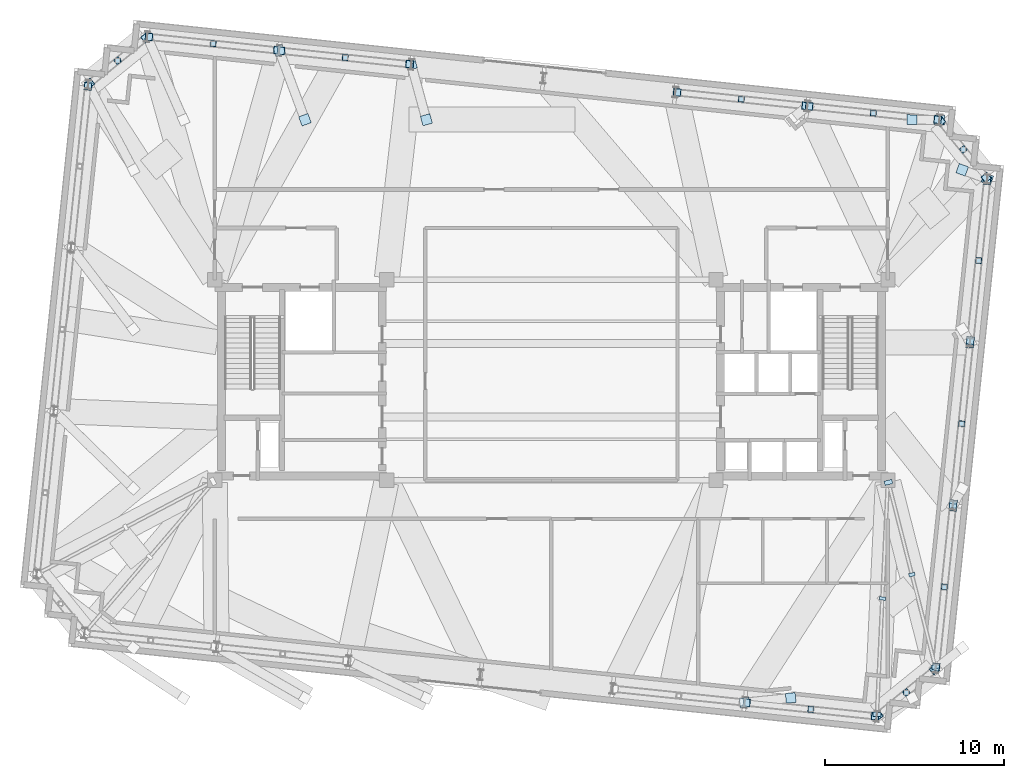
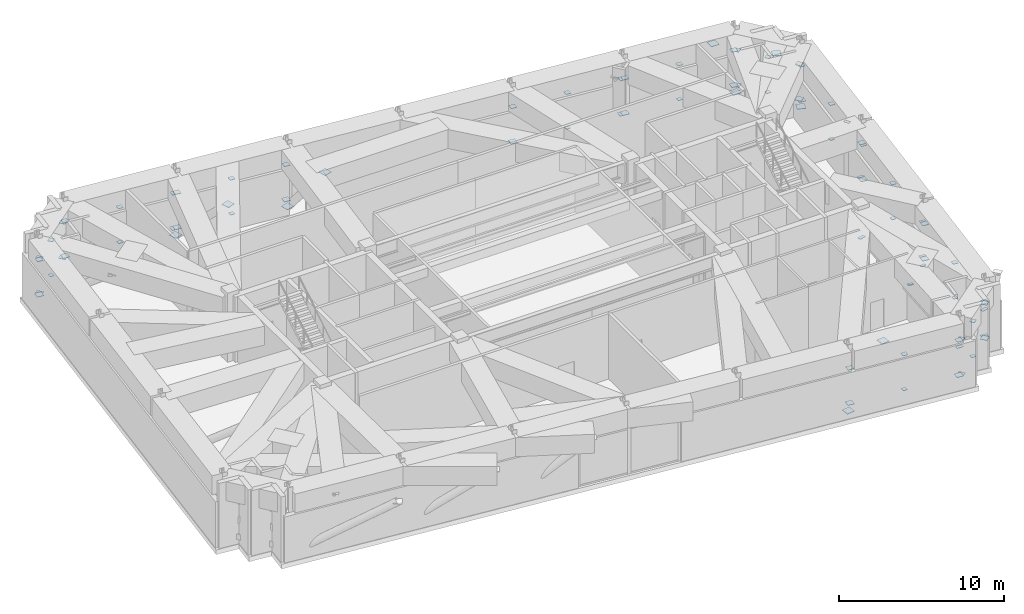
# One storey, part 15 of 21: 83 plates.
"""IFC4 building model written with IfcOpenShell, lengths in metres."""

import ifcopenshell
import ifcopenshell.guid

model = None  # the IFC model being written
_history = None  # IfcOwnerHistory: only IFC2X3 demands one
_inside = {}  # id of a spatial element -> (the spatial element, [elements in it])
_under = {}  # id of a project, library or spatial element -> (it, [spatial elements below it])
_declared = {}  # id of a project -> (the project, [libraries it declares])
_typed = {}  # id of a type object -> (the type object, [elements of that type])
_made_of = {}  # id of a material, layer set ... -> (it, [elements and type objects made of it])


def new_model(schema):
    """Start an empty IFC model of exactly this schema.

    Asked for "IFC4X3", IfcOpenShell would pick the latest addendum, in which some entities
    have other attributes; the version numbers below select the first issue.
    IFC2X3 requires an IfcOwnerHistory on every rooted entity: one is made here for all.
    """
    global model, _history
    if schema == "IFC4X3":
        model = ifcopenshell.file(schema_version=(4, 3, 0, 0))
    else:
        model = ifcopenshell.file(schema=schema)
    _inside.clear()
    _under.clear()
    _declared.clear()
    _typed.clear()
    _made_of.clear()
    _history = None
    if model.schema == "IFC2X3":
        org = make("IfcOrganization", Name="unknown")
        user = make(
            "IfcPersonAndOrganization",
            ThePerson=make("IfcPerson", FamilyName="unknown"),
            TheOrganization=org,
        )
        app = make(
            "IfcApplication",
            ApplicationDeveloper=org,
            Version="unknown",
            ApplicationFullName="unknown",
            ApplicationIdentifier="unknown",
        )
        _history = make(
            "IfcOwnerHistory",
            OwningUser=user,
            OwningApplication=app,
            ChangeAction="ADDED",
            CreationDate=0,
        )
    return model


def make(cls, **values):
    """One entity of the class cls with the attributes given. An attribute that is None is left unset."""
    return model.create_entity(
        cls, **{name: value for name, value in values.items() if value is not None}
    )


def rooted(cls, **values):
    """An entity with a GlobalId (a new one), such as an element, a storey or a relation."""
    return make(cls, GlobalId=ifcopenshell.guid.new(), OwnerHistory=_history, **values)


def si_unit(unit_type, name, prefix=None):
    """IfcSIUnit, for example si_unit("LENGTHUNIT", "METRE", prefix="MILLI")."""
    return make("IfcSIUnit", UnitType=unit_type, Prefix=prefix, Name=name)


def assignment(units):
    """IfcUnitAssignment: the units of a project."""
    return None if units is None else make("IfcUnitAssignment", Units=units)


def point(xyz):
    """IfcCartesianPoint."""
    return None if xyz is None else make("IfcCartesianPoint", Coordinates=xyz)


def direction(xyz):
    """IfcDirection."""
    return None if xyz is None else make("IfcDirection", DirectionRatios=xyz)


def frame(location, z_axis=None, x_axis=None):
    """IfcAxis2Placement3D, a coordinate frame: its origin and axes. An axis left out is left unset."""
    return make(
        "IfcAxis2Placement3D",
        Location=point(location),
        Axis=direction(z_axis),
        RefDirection=direction(x_axis),
    )


def frame_2d(location, x_axis=None):
    """IfcAxis2Placement2D, a coordinate frame in the plane: its origin and x axis."""
    return make(
        "IfcAxis2Placement2D", Location=point(location), RefDirection=direction(x_axis)
    )


def origin():
    """The frame at (0, 0, 0) with its axes left unset."""
    return frame((0.0, 0.0, 0.0))


def origin_2d():
    """The frame at (0, 0) in the plane with its x axis left unset."""
    return frame_2d((0.0, 0.0))


def place(relative_to, where):
    """IfcLocalPlacement: puts the frame where relative to a parent placement (None: the world)."""
    return make(
        "IfcLocalPlacement", PlacementRelTo=relative_to, RelativePlacement=where
    )


def context(
    kind, dimensions, precision=None, world=None, true_north=None, identifier=None
):
    """IfcGeometricRepresentationContext, for example the 3D "Model" context."""
    return make(
        "IfcGeometricRepresentationContext",
        ContextIdentifier=identifier,
        ContextType=kind,
        CoordinateSpaceDimension=dimensions,
        Precision=precision,
        WorldCoordinateSystem=world,
        TrueNorth=true_north,
    )


def subcontext(parent, identifier, kind, view, scale=None):
    """IfcGeometricRepresentationSubContext, for example "Body" below "Model"."""
    return make(
        "IfcGeometricRepresentationSubContext",
        ContextIdentifier=identifier,
        ContextType=kind,
        ParentContext=parent,
        TargetScale=scale,
        TargetView=view,
    )


def project(units=None, contexts=None):
    """IfcProject with its units and contexts."""
    return rooted(
        "IfcProject",
        Name="project",
        RepresentationContexts=contexts,
        UnitsInContext=assignment(units),
    )


def spatial(cls, under=None, at=None, **own):
    """A site, building, storey or space (cls), placed at a placement, below another one or the project."""
    s = rooted(cls, ObjectPlacement=at, **own)
    if under is not None:
        _under.setdefault(under.id(), (under, []))[1].append(s)
    return s


def profile(cls, at=None, kind="AREA", **sizes):
    """A parametric profile (cls). Its sizes go by their IFC names, for example OverallWidth=200.0."""
    return make(cls, ProfileType=kind, Position=at, **sizes)


def rectangle(**sizes):
    """IfcRectangleProfileDef."""
    return profile("IfcRectangleProfileDef", **sizes)


def extrude(swept, where, along, depth):
    """IfcExtrudedAreaSolid: the profile swept, set in the frame where, extruded along a direction by depth."""
    return make(
        "IfcExtrudedAreaSolid",
        SweptArea=swept,
        Position=where,
        ExtrudedDirection=direction(along),
        Depth=depth,
    )


def shape(context_of_items, identifier, shape_type, items):
    """IfcShapeRepresentation: the items that make up one representation, for example the "Body"."""
    return make(
        "IfcShapeRepresentation",
        ContextOfItems=context_of_items,
        RepresentationIdentifier=identifier,
        RepresentationType=shape_type,
        Items=items,
    )


def material(Name=None, Category=None):
    """IfcMaterial."""
    return make("IfcMaterial", Name=Name, Category=Category)


def layer(
    of_material, thickness, ventilated=None, Name=None, Category=None, Priority=None
):
    """IfcMaterialLayer: one layer of a wall or slab, of a material (None: an air gap)."""
    return make(
        "IfcMaterialLayer",
        Material=of_material,
        LayerThickness=thickness,
        IsVentilated=ventilated,
        Name=Name,
        Category=Category,
        Priority=Priority,
    )


def layer_set(layers, Name=None):
    """IfcMaterialLayerSet."""
    return make("IfcMaterialLayerSet", MaterialLayers=layers, LayerSetName=Name)


def made_of(thing, what):
    """Note that an element or type object is made of a material, layer set ...; save() writes the relation."""
    if what is not None:
        _made_of.setdefault(what.id(), (what, []))[1].append(thing)
    return thing


def type_object(cls, material=None, **own):
    """A type object (cls), such as IfcWallType, which elements share."""
    return made_of(rooted(cls, **own), material)


def element(
    cls,
    number,
    at=None,
    inside=None,
    cuts=None,
    type_object=None,
    material=None,
    context=None,
    identifier="Body",
    shape_type=None,
    held_by="IfcProductDefinitionShape",
    body=None,
    shapes=None,
    **own,
):
    """One element of the class cls, such as IfcWall. Its Tag is "e" and its number.

    at: its placement. inside: the storey or other place that contains it. cuts: it is an
    opening in that element (IfcRelVoidsElement). A single representation is given by context,
    identifier, shape_type and body (its items); several are given by shapes. held_by: the class
    of the entity that holds the representations. save() writes the other relations.
    """
    e = rooted(cls, Tag="e%d" % number, ObjectPlacement=at, **own)
    if body is not None:
        shapes = [shape(context, identifier, shape_type, body)]
    if shapes is not None:
        e.Representation = make(held_by, Representations=shapes)
    if inside is not None:
        _inside.setdefault(inside.id(), (inside, []))[1].append(e)
    if cuts is not None:
        rooted(
            "IfcRelVoidsElement", RelatingBuildingElement=cuts, RelatedOpeningElement=e
        )
    if type_object is not None:
        _typed.setdefault(type_object.id(), (type_object, []))[1].append(e)
    return made_of(e, material)


def aggregate(whole, parts):
    """IfcRelAggregates: a whole, such as a stair, and the parts it consists of."""
    return rooted("IfcRelAggregates", RelatingObject=whole, RelatedObjects=parts)


def save(model, path):
    """Write the relations noted so far, then the file.

    IfcRelAggregates (storeys below a building ...), IfcRelContainedInSpatialStructure (elements
    in a storey), IfcRelDefinesByType, IfcRelAssociatesMaterial and IfcRelDeclares: one each for
    every whole, place, type object, material and project.
    """
    for whole, parts in _under.values():
        aggregate(whole, parts)
    for where, things in _inside.values():
        rooted(
            "IfcRelContainedInSpatialStructure",
            RelatedElements=things,
            RelatingStructure=where,
        )
    for kind, things in _typed.values():
        rooted("IfcRelDefinesByType", RelatedObjects=things, RelatingType=kind)
    for what, things in _made_of.values():
        rooted("IfcRelAssociatesMaterial", RelatedObjects=things, RelatingMaterial=what)
    for by, libraries in _declared.values():
        rooted("IfcRelDeclares", RelatingContext=by, RelatedDefinitions=libraries)
    model.write(path)


model = new_model("IFC4")

# Units and contexts
model_context = context("Model", 3, precision=1e-05, world=origin(), true_north=direction((0.0, 1.0)))
body_context = subcontext(model_context, "Body", "Model", "MODEL_VIEW")
ifc_project = project(units=[si_unit("LENGTHUNIT", "METRE"), si_unit("AREAUNIT", "SQUARE_METRE"), si_unit("VOLUMEUNIT", "CUBIC_METRE"), si_unit("PLANEANGLEUNIT", "RADIAN"), si_unit("MASSUNIT", "GRAM", prefix="KILO")], contexts=[model_context])

# Site, building, storey
site_placement = place(None, origin())
site = spatial("IfcSite", under=ifc_project, at=site_placement, CompositionType="ELEMENT")
building_placement = place(site_placement, origin())
building = spatial("IfcBuilding", under=site, at=building_placement, Name="Qobustan Lattice House", CompositionType="ELEMENT")
storey_placement = place(building_placement, frame((0.0, 0.0, 223.199951171875)))
storey = spatial("IfcBuildingStorey", under=building, at=storey_placement, Name="L63", CompositionType="ELEMENT", Elevation=223.199951171875)

# Plates
ifc_material = material(Name="Steel S355", Category="steel")
ifc_layer = layer(ifc_material, 0.030029296875)
ifc_layer_set = layer_set([ifc_layer], Name="Steel S355")
plate_type = type_object("IfcPlateType", Name="PLT-CAP-25", PredefinedType="SHEET", material=ifc_layer_set)
for number, where, z_axis, x_axis, name in (
    (1, (10.895751953125, -18.018798828125, 0.53515625), (0.0, 0.0, 1.0), (0.994521895368, -0.104528463268, 0.0), "L63 TT4 belt truss bottom chord S6-S7 end cap plate 1"),
    (2, (18.082763671875, -18.77392578125, 0.53515625), (0.0, 0.0, 1.0), (0.994521895368, -0.104528463268, 0.0), "L63 TT4 belt truss bottom chord S6-S7 end cap plate 2"),
):
    element("IfcPlate", number, at=place(storey_placement, frame(where, z_axis=z_axis, x_axis=x_axis)), inside=storey, type_object=plate_type, Name=name, PredefinedType="SHEET", context=body_context, shape_type="SweptSolid", body=[
        extrude(rectangle(XDim=0.43994140625, YDim=0.43994140625, at=origin_2d()), origin(), (0.0, 0.0, 1.0), 0.030029296875),
    ])
for number, where, z_axis, x_axis, name in (
    (3, (10.895751953125, -18.018798828125, 3.125), (0.0, 0.0, 1.0), (0.994521895368, -0.104528463268, 0.0), "L63 TT4 belt truss top chord S6-S7 end cap plate 1"),
    (4, (18.082763671875, -18.77392578125, 3.125), (0.0, 0.0, 1.0), (0.994521895368, -0.104528463268, 0.0), "L63 TT4 belt truss top chord S6-S7 end cap plate 2"),
):
    element("IfcPlate", number, at=place(storey_placement, frame(where, z_axis=z_axis, x_axis=x_axis)), inside=storey, type_object=plate_type, Name=name, PredefinedType="SHEET", context=body_context, shape_type="SweptSolid", body=[
        extrude(rectangle(XDim=0.389892578125, YDim=0.389892578125, at=origin_2d()), origin(), (0.0, 0.0, 1.0), 0.030029296875),
    ])
plate_1_placement = place(storey_placement, frame((14.493408203125, -18.396728515625, 3.1279296875), z_axis=(0.0, 0.0, 1.0), x_axis=(0.994523719583, -0.10451110557, 0.0)))
element("IfcPlate", 5, at=plate_1_placement, inside=storey, type_object=plate_type, Name="L63 TT4 belt truss web diagonal S6-S7 A end cap plate 2", PredefinedType="SHEET", context=body_context, shape_type="SweptSolid", body=[
    extrude(rectangle(XDim=0.340087890625, YDim=0.340087890625, at=origin_2d()), origin(), (0.0, 0.0, 1.0), 0.030029296875),
])
plate_2_placement = place(storey_placement, frame((14.4892578125, -18.396240234375, 0.5302734375), z_axis=(0.0, 0.0, 1.0), x_axis=(1.0, 0.0, 0.0)))
element("IfcPlate", 6, at=plate_2_placement, inside=storey, type_object=plate_type, Name="L63 TT4 belt truss vertical post S6-S7 end cap plate 1", PredefinedType="SHEET", context=body_context, shape_type="SweptSolid", body=[
    extrude(rectangle(XDim=0.2900390625, YDim=0.2900390625, at=origin_2d()), origin(), (0.0, 0.0, 1.0), 0.030029296875),
])
for number, where, z_axis, x_axis, name in (
    (7, (18.251220703125, -18.72412109375, 0.53515625), (0.0, 0.0, 1.0), (0.777134977626, 0.62933395471, 0.0), "L63 TT4 belt truss bottom chord S7-E1 end cap plate 1"),
    (8, (21.400634765625, -16.173828125, 0.53515625), (0.0, 0.0, 1.0), (0.777134977626, 0.62933395471, 0.0), "L63 TT4 belt truss bottom chord S7-E1 end cap plate 2"),
):
    element("IfcPlate", number, at=place(storey_placement, frame(where, z_axis=z_axis, x_axis=x_axis)), inside=storey, type_object=plate_type, Name=name, PredefinedType="SHEET", context=body_context, shape_type="SweptSolid", body=[
        extrude(rectangle(XDim=0.43994140625, YDim=0.43994140625, at=origin_2d()), origin(), (0.0, 0.0, 1.0), 0.030029296875),
    ])
for number, where, z_axis, x_axis, name in (
    (9, (18.251220703125, -18.72412109375, 3.125), (0.0, 0.0, 1.0), (0.777134977626, 0.62933395471, 0.0), "L63 TT4 belt truss top chord S7-E1 end cap plate 1"),
    (10, (21.400634765625, -16.173828125, 3.125), (0.0, 0.0, 1.0), (0.777134977626, 0.62933395471, 0.0), "L63 TT4 belt truss top chord S7-E1 end cap plate 2"),
):
    element("IfcPlate", number, at=place(storey_placement, frame(where, z_axis=z_axis, x_axis=x_axis)), inside=storey, type_object=plate_type, Name=name, PredefinedType="SHEET", context=body_context, shape_type="SweptSolid", body=[
        extrude(rectangle(XDim=0.389892578125, YDim=0.389892578125, at=origin_2d()), origin(), (0.0, 0.0, 1.0), 0.030029296875),
    ])
plate_3_placement = place(storey_placement, frame((19.828125, -17.447021484375, 3.12890625), z_axis=(0.0, 0.0, 1.0), x_axis=(0.777123993558, 0.629347518178, 0.0)))
element("IfcPlate", 11, at=plate_3_placement, inside=storey, type_object=plate_type, Name="L63 TT4 belt truss web diagonal S7-E1 A end cap plate 2", PredefinedType="SHEET", context=body_context, shape_type="SweptSolid", body=[
    extrude(rectangle(XDim=0.340087890625, YDim=0.340087890625, at=origin_2d()), origin(), (0.0, 0.0, 1.0), 0.030029296875),
])
plate_4_placement = place(storey_placement, frame((19.82568359375, -17.448974609375, 0.5302734375), z_axis=(0.0, 0.0, 1.0), x_axis=(1.0, 0.0, 0.0)))
element("IfcPlate", 12, at=plate_4_placement, inside=storey, type_object=plate_type, Name="L63 TT4 belt truss vertical post S7-E1 end cap plate 1", PredefinedType="SHEET", context=body_context, shape_type="SweptSolid", body=[
    extrude(rectangle(XDim=0.2900390625, YDim=0.2900390625, at=origin_2d()), origin(), (0.0, 0.0, 1.0), 0.030029296875),
])
for number, where, z_axis, x_axis, name in (
    (13, (21.484375, -16.01953125, 0.53515625), (0.0, 0.0, 1.0), (0.104528463268, 0.994521895368, 0.0), "L63 TT4 belt truss bottom chord E1-E2 end cap plate 1"),
    (14, (22.422607421875, -7.092041015625, 0.53515625), (0.0, 0.0, 1.0), (0.104528463268, 0.994521895368, 0.0), "L63 TT4 belt truss bottom chord E1-E2 end cap plate 2"),
):
    element("IfcPlate", number, at=place(storey_placement, frame(where, z_axis=z_axis, x_axis=x_axis)), inside=storey, type_object=plate_type, Name=name, PredefinedType="SHEET", context=body_context, shape_type="SweptSolid", body=[
        extrude(rectangle(XDim=0.43994140625, YDim=0.43994140625, at=origin_2d()), origin(), (0.0, 0.0, 1.0), 0.030029296875),
    ])
for number, where, z_axis, x_axis, name in (
    (15, (21.484375, -16.01953125, 3.125), (0.0, 0.0, 1.0), (0.104528463268, 0.994521895368, 0.0), "L63 TT4 belt truss top chord E1-E2 end cap plate 1"),
    (16, (22.422607421875, -7.092041015625, 3.125), (0.0, 0.0, 1.0), (0.104528463268, 0.994521895368, 0.0), "L63 TT4 belt truss top chord E1-E2 end cap plate 2"),
):
    element("IfcPlate", number, at=place(storey_placement, frame(where, z_axis=z_axis, x_axis=x_axis)), inside=storey, type_object=plate_type, Name=name, PredefinedType="SHEET", context=body_context, shape_type="SweptSolid", body=[
        extrude(rectangle(XDim=0.389892578125, YDim=0.389892578125, at=origin_2d()), origin(), (0.0, 0.0, 1.0), 0.030029296875),
    ])
plate_5_placement = place(storey_placement, frame((21.9541015625, -11.551513671875, 3.12744140625), z_axis=(0.0, 0.0, 1.0), x_axis=(0.104528463268, 0.994521895368, 0.0)))
element("IfcPlate", 17, at=plate_5_placement, inside=storey, type_object=plate_type, Name="L63 TT4 belt truss web diagonal E1-E2 A end cap plate 2", PredefinedType="SHEET", context=body_context, shape_type="SweptSolid", body=[
    extrude(rectangle(XDim=0.340087890625, YDim=0.340087890625, at=origin_2d()), origin(), (0.0, 0.0, 1.0), 0.030029296875),
])
plate_6_placement = place(storey_placement, frame((21.95361328125, -11.555908203125, 0.5302734375), z_axis=(0.0, 0.0, 1.0), x_axis=(1.0, 0.0, 0.0)))
element("IfcPlate", 18, at=plate_6_placement, inside=storey, type_object=plate_type, Name="L63 TT4 belt truss vertical post E1-E2 end cap plate 1", PredefinedType="SHEET", context=body_context, shape_type="SweptSolid", body=[
    extrude(rectangle(XDim=0.2900390625, YDim=0.2900390625, at=origin_2d()), origin(), (0.0, 0.0, 1.0), 0.030029296875),
])
for number, where, z_axis, x_axis, name in (
    (19, (22.442626953125, -6.903076171875, 0.53515625), (0.0, 0.0, 1.0), (0.104528463268, 0.994521895368, 0.0), "L63 TT4 belt truss bottom chord E2-E3 end cap plate 1"),
    (20, (23.380859375, 2.0244140625, 0.53515625), (0.0, 0.0, 1.0), (0.104528463268, 0.994521895368, 0.0), "L63 TT4 belt truss bottom chord E2-E3 end cap plate 2"),
):
    element("IfcPlate", number, at=place(storey_placement, frame(where, z_axis=z_axis, x_axis=x_axis)), inside=storey, type_object=plate_type, Name=name, PredefinedType="SHEET", context=body_context, shape_type="SweptSolid", body=[
        extrude(rectangle(XDim=0.43994140625, YDim=0.43994140625, at=origin_2d()), origin(), (0.0, 0.0, 1.0), 0.030029296875),
    ])
for number, where, z_axis, x_axis, name in (
    (21, (22.442626953125, -6.903076171875, 3.125), (0.0, 0.0, 1.0), (0.104528463268, 0.994521895368, 0.0), "L63 TT4 belt truss top chord E2-E3 end cap plate 1"),
    (22, (23.380859375, 2.0244140625, 3.125), (0.0, 0.0, 1.0), (0.104528463268, 0.994521895368, 0.0), "L63 TT4 belt truss top chord E2-E3 end cap plate 2"),
):
    element("IfcPlate", number, at=place(storey_placement, frame(where, z_axis=z_axis, x_axis=x_axis)), inside=storey, type_object=plate_type, Name=name, PredefinedType="SHEET", context=body_context, shape_type="SweptSolid", body=[
        extrude(rectangle(XDim=0.389892578125, YDim=0.389892578125, at=origin_2d()), origin(), (0.0, 0.0, 1.0), 0.030029296875),
    ])
plate_7_placement = place(storey_placement, frame((22.912109375, -2.43505859375, 3.12744140625), z_axis=(0.0, 0.0, 1.0), x_axis=(0.104528463268, 0.994521895368, 0.0)))
element("IfcPlate", 23, at=plate_7_placement, inside=storey, type_object=plate_type, Name="L63 TT4 belt truss web diagonal E2-E3 A end cap plate 2", PredefinedType="SHEET", context=body_context, shape_type="SweptSolid", body=[
    extrude(rectangle(XDim=0.340087890625, YDim=0.340087890625, at=origin_2d()), origin(), (0.0, 0.0, 1.0), 0.030029296875),
])
plate_8_placement = place(storey_placement, frame((22.91162109375, -2.439453125, 0.5302734375), z_axis=(0.0, 0.0, 1.0), x_axis=(1.0, 0.0, 0.0)))
element("IfcPlate", 24, at=plate_8_placement, inside=storey, type_object=plate_type, Name="L63 TT4 belt truss vertical post E2-E3 end cap plate 1", PredefinedType="SHEET", context=body_context, shape_type="SweptSolid", body=[
    extrude(rectangle(XDim=0.2900390625, YDim=0.2900390625, at=origin_2d()), origin(), (0.0, 0.0, 1.0), 0.030029296875),
])
for number, where, z_axis, x_axis, name in (
    (25, (23.40087890625, 2.21337890625, 0.53515625), (0.0, 0.0, 1.0), (0.10451110557, 0.994523719583, 0.0), "L63 TT4 belt truss bottom chord E3-E4 end cap plate 1"),
    (26, (24.3388671875, 11.140869140625, 0.53515625), (0.0, 0.0, 1.0), (0.10451110557, 0.994523719583, 0.0), "L63 TT4 belt truss bottom chord E3-E4 end cap plate 2"),
):
    element("IfcPlate", number, at=place(storey_placement, frame(where, z_axis=z_axis, x_axis=x_axis)), inside=storey, type_object=plate_type, Name=name, PredefinedType="SHEET", context=body_context, shape_type="SweptSolid", body=[
        extrude(rectangle(XDim=0.43994140625, YDim=0.43994140625, at=origin_2d()), origin(), (0.0, 0.0, 1.0), 0.030029296875),
    ])
for number, where, z_axis, x_axis, name in (
    (27, (23.40087890625, 2.21337890625, 3.125), (0.0, 0.0, 1.0), (0.10451110557, 0.994523719583, 0.0), "L63 TT4 belt truss top chord E3-E4 end cap plate 1"),
    (28, (24.3388671875, 11.140869140625, 3.125), (0.0, 0.0, 1.0), (0.10451110557, 0.994523719583, 0.0), "L63 TT4 belt truss top chord E3-E4 end cap plate 2"),
):
    element("IfcPlate", number, at=place(storey_placement, frame(where, z_axis=z_axis, x_axis=x_axis)), inside=storey, type_object=plate_type, Name=name, PredefinedType="SHEET", context=body_context, shape_type="SweptSolid", body=[
        extrude(rectangle(XDim=0.389892578125, YDim=0.389892578125, at=origin_2d()), origin(), (0.0, 0.0, 1.0), 0.030029296875),
    ])
plate_9_placement = place(storey_placement, frame((23.870361328125, 6.681396484375, 3.12744140625), z_axis=(0.0, 0.0, 1.0), x_axis=(0.104493747841, 0.994525543494, 0.0)))
element("IfcPlate", 29, at=plate_9_placement, inside=storey, type_object=plate_type, Name="L63 TT4 belt truss web diagonal E3-E4 A end cap plate 2", PredefinedType="SHEET", context=body_context, shape_type="SweptSolid", body=[
    extrude(rectangle(XDim=0.340087890625, YDim=0.340087890625, at=origin_2d()), origin(), (0.0, 0.0, 1.0), 0.030029296875),
])
plate_10_placement = place(storey_placement, frame((23.869873046875, 6.677001953125, 0.5302734375), z_axis=(0.0, 0.0, 1.0), x_axis=(1.0, 0.0, 0.0)))
element("IfcPlate", 30, at=plate_10_placement, inside=storey, type_object=plate_type, Name="L63 TT4 belt truss vertical post E3-E4 end cap plate 1", PredefinedType="SHEET", context=body_context, shape_type="SweptSolid", body=[
    extrude(rectangle(XDim=0.2900390625, YDim=0.2900390625, at=origin_2d()), origin(), (0.0, 0.0, 1.0), 0.030029296875),
])
for number, where, z_axis, x_axis, name in (
    (31, (24.2890625, 11.30908203125, 0.53515625), (0.0, 0.0, 1.0), (-0.629306827198, 0.777156945051, 0.0), "L63 TT4 belt truss bottom chord E4-N1 end cap plate 1"),
    (32, (21.73876953125, 14.458740234375, 0.53515625), (0.0, 0.0, 1.0), (-0.629306827198, 0.777156945051, 0.0), "L63 TT4 belt truss bottom chord E4-N1 end cap plate 2"),
):
    element("IfcPlate", number, at=place(storey_placement, frame(where, z_axis=z_axis, x_axis=x_axis)), inside=storey, type_object=plate_type, Name=name, PredefinedType="SHEET", context=body_context, shape_type="SweptSolid", body=[
        extrude(rectangle(XDim=0.43994140625, YDim=0.43994140625, at=origin_2d()), origin(), (0.0, 0.0, 1.0), 0.030029296875),
    ])
for number, where, z_axis, x_axis, name in (
    (33, (24.2890625, 11.30908203125, 3.125), (0.0, 0.0, 1.0), (-0.629306827198, 0.777156945051, 0.0), "L63 TT4 belt truss top chord E4-N1 end cap plate 1"),
    (34, (21.73876953125, 14.458740234375, 3.125), (0.0, 0.0, 1.0), (-0.629306827198, 0.777156945051, 0.0), "L63 TT4 belt truss top chord E4-N1 end cap plate 2"),
):
    element("IfcPlate", number, at=place(storey_placement, frame(where, z_axis=z_axis, x_axis=x_axis)), inside=storey, type_object=plate_type, Name=name, PredefinedType="SHEET", context=body_context, shape_type="SweptSolid", body=[
        extrude(rectangle(XDim=0.389892578125, YDim=0.389892578125, at=origin_2d()), origin(), (0.0, 0.0, 1.0), 0.030029296875),
    ])
plate_11_placement = place(storey_placement, frame((23.01220703125, 12.88623046875, 3.12890625), z_axis=(0.0, 0.0, 1.0), x_axis=(-0.629293263155, 0.777167928409, 0.0)))
element("IfcPlate", 35, at=plate_11_placement, inside=storey, type_object=plate_type, Name="L63 TT4 belt truss web diagonal E4-N1 A end cap plate 2", PredefinedType="SHEET", context=body_context, shape_type="SweptSolid", body=[
    extrude(rectangle(XDim=0.340087890625, YDim=0.340087890625, at=origin_2d()), origin(), (0.0, 0.0, 1.0), 0.030029296875),
])
plate_12_placement = place(storey_placement, frame((23.013916015625, 12.8837890625, 0.5302734375), z_axis=(0.0, 0.0, 1.0), x_axis=(1.0, 0.0, 0.0)))
element("IfcPlate", 36, at=plate_12_placement, inside=storey, type_object=plate_type, Name="L63 TT4 belt truss vertical post E4-N1 end cap plate 1", PredefinedType="SHEET", context=body_context, shape_type="SweptSolid", body=[
    extrude(rectangle(XDim=0.2900390625, YDim=0.2900390625, at=origin_2d()), origin(), (0.0, 0.0, 1.0), 0.030029296875),
])
for number, where, z_axis, x_axis, name in (
    (37, (21.58447265625, 14.54248046875, 0.53515625), (0.0, 0.0, 1.0), (-0.994523719583, 0.10451110557, 0.0), "L63 TT4 belt truss bottom chord N1-N2 end cap plate 1"),
    (38, (14.3974609375, 15.297607421875, 0.53515625), (0.0, 0.0, 1.0), (-0.994523719583, 0.10451110557, 0.0), "L63 TT4 belt truss bottom chord N1-N2 end cap plate 2"),
):
    element("IfcPlate", number, at=place(storey_placement, frame(where, z_axis=z_axis, x_axis=x_axis)), inside=storey, type_object=plate_type, Name=name, PredefinedType="SHEET", context=body_context, shape_type="SweptSolid", body=[
        extrude(rectangle(XDim=0.43994140625, YDim=0.43994140625, at=origin_2d()), origin(), (0.0, 0.0, 1.0), 0.030029296875),
    ])
for number, where, z_axis, x_axis, name in (
    (39, (21.58447265625, 14.54248046875, 3.125), (0.0, 0.0, 1.0), (-0.994523719583, 0.10451110557, 0.0), "L63 TT4 belt truss top chord N1-N2 end cap plate 1"),
    (40, (14.3974609375, 15.297607421875, 3.125), (0.0, 0.0, 1.0), (-0.994523719583, 0.10451110557, 0.0), "L63 TT4 belt truss top chord N1-N2 end cap plate 2"),
):
    element("IfcPlate", number, at=place(storey_placement, frame(where, z_axis=z_axis, x_axis=x_axis)), inside=storey, type_object=plate_type, Name=name, PredefinedType="SHEET", context=body_context, shape_type="SweptSolid", body=[
        extrude(rectangle(XDim=0.389892578125, YDim=0.389892578125, at=origin_2d()), origin(), (0.0, 0.0, 1.0), 0.030029296875),
    ])
plate_13_placement = place(storey_placement, frame((17.98681640625, 14.92041015625, 3.1279296875), z_axis=(0.0, 0.0, 1.0), x_axis=(-0.994523719583, 0.10451110557, 0.0)))
element("IfcPlate", 41, at=plate_13_placement, inside=storey, type_object=plate_type, Name="L63 TT4 belt truss web diagonal N1-N2 A end cap plate 2", PredefinedType="SHEET", context=body_context, shape_type="SweptSolid", body=[
    extrude(rectangle(XDim=0.340087890625, YDim=0.340087890625, at=origin_2d()), origin(), (0.0, 0.0, 1.0), 0.030029296875),
])
plate_14_placement = place(storey_placement, frame((17.990966796875, 14.920166015625, 0.5302734375), z_axis=(0.0, 0.0, 1.0), x_axis=(1.0, 0.0, 0.0)))
element("IfcPlate", 42, at=plate_14_placement, inside=storey, type_object=plate_type, Name="L63 TT4 belt truss vertical post N1-N2 end cap plate 1", PredefinedType="SHEET", context=body_context, shape_type="SweptSolid", body=[
    extrude(rectangle(XDim=0.2900390625, YDim=0.2900390625, at=origin_2d()), origin(), (0.0, 0.0, 1.0), 0.030029296875),
])
for number, where, z_axis, x_axis, name in (
    (43, (14.20849609375, 15.317626953125, 0.53515625), (0.0, 0.0, 1.0), (-0.994521895368, 0.104528463268, 0.0), "L63 TT4 belt truss bottom chord N2-N3 end cap plate 1"),
    (44, (7.021484375, 16.072998046875, 0.53515625), (0.0, 0.0, 1.0), (-0.994521895368, 0.104528463268, 0.0), "L63 TT4 belt truss bottom chord N2-N3 end cap plate 2"),
):
    element("IfcPlate", number, at=place(storey_placement, frame(where, z_axis=z_axis, x_axis=x_axis)), inside=storey, type_object=plate_type, Name=name, PredefinedType="SHEET", context=body_context, shape_type="SweptSolid", body=[
        extrude(rectangle(XDim=0.43994140625, YDim=0.43994140625, at=origin_2d()), origin(), (0.0, 0.0, 1.0), 0.030029296875),
    ])
for number, where, z_axis, x_axis, name in (
    (45, (14.20849609375, 15.317626953125, 3.125), (0.0, 0.0, 1.0), (-0.994521895368, 0.104528463268, 0.0), "L63 TT4 belt truss top chord N2-N3 end cap plate 1"),
    (46, (7.021484375, 16.072998046875, 3.125), (0.0, 0.0, 1.0), (-0.994521895368, 0.104528463268, 0.0), "L63 TT4 belt truss top chord N2-N3 end cap plate 2"),
):
    element("IfcPlate", number, at=place(storey_placement, frame(where, z_axis=z_axis, x_axis=x_axis)), inside=storey, type_object=plate_type, Name=name, PredefinedType="SHEET", context=body_context, shape_type="SweptSolid", body=[
        extrude(rectangle(XDim=0.389892578125, YDim=0.389892578125, at=origin_2d()), origin(), (0.0, 0.0, 1.0), 0.030029296875),
    ])
plate_15_placement = place(storey_placement, frame((10.61083984375, 15.69580078125, 3.1279296875), z_axis=(0.0, 0.0, 1.0), x_axis=(-0.994520070851, 0.104545820933, 0.0)))
element("IfcPlate", 47, at=plate_15_placement, inside=storey, type_object=plate_type, Name="L63 TT4 belt truss web diagonal N2-N3 A end cap plate 2", PredefinedType="SHEET", context=body_context, shape_type="SweptSolid", body=[
    extrude(rectangle(XDim=0.340087890625, YDim=0.340087890625, at=origin_2d()), origin(), (0.0, 0.0, 1.0), 0.030029296875),
])
plate_16_placement = place(storey_placement, frame((10.614990234375, 15.6953125, 0.5302734375), z_axis=(0.0, 0.0, 1.0), x_axis=(1.0, 0.0, 0.0)))
element("IfcPlate", 48, at=plate_16_placement, inside=storey, type_object=plate_type, Name="L63 TT4 belt truss vertical post N2-N3 end cap plate 1", PredefinedType="SHEET", context=body_context, shape_type="SweptSolid", body=[
    extrude(rectangle(XDim=0.2900390625, YDim=0.2900390625, at=origin_2d()), origin(), (0.0, 0.0, 1.0), 0.030029296875),
])
for number, where, z_axis, x_axis, name in (
    (49, (-7.919677734375, 17.6435546875, 0.53515625), (0.0, 0.0, 1.0), (-0.994523719583, 0.10451110557, 0.0), "L63 TT4 belt truss bottom chord N5-N6 end cap plate 1"),
    (50, (-15.106689453125, 18.398681640625, 0.53515625), (0.0, 0.0, 1.0), (-0.994523719583, 0.10451110557, 0.0), "L63 TT4 belt truss bottom chord N5-N6 end cap plate 2"),
):
    element("IfcPlate", number, at=place(storey_placement, frame(where, z_axis=z_axis, x_axis=x_axis)), inside=storey, type_object=plate_type, Name=name, PredefinedType="SHEET", context=body_context, shape_type="SweptSolid", body=[
        extrude(rectangle(XDim=0.43994140625, YDim=0.43994140625, at=origin_2d()), origin(), (0.0, 0.0, 1.0), 0.030029296875),
    ])
for number, where, z_axis, x_axis, name in (
    (51, (-7.919677734375, 17.6435546875, 3.125), (0.0, 0.0, 1.0), (-0.994523719583, 0.10451110557, 0.0), "L63 TT4 belt truss top chord N5-N6 end cap plate 1"),
    (52, (-15.106689453125, 18.398681640625, 3.125), (0.0, 0.0, 1.0), (-0.994523719583, 0.10451110557, 0.0), "L63 TT4 belt truss top chord N5-N6 end cap plate 2"),
):
    element("IfcPlate", number, at=place(storey_placement, frame(where, z_axis=z_axis, x_axis=x_axis)), inside=storey, type_object=plate_type, Name=name, PredefinedType="SHEET", context=body_context, shape_type="SweptSolid", body=[
        extrude(rectangle(XDim=0.389892578125, YDim=0.389892578125, at=origin_2d()), origin(), (0.0, 0.0, 1.0), 0.030029296875),
    ])
plate_17_placement = place(storey_placement, frame((-11.51708984375, 18.021484375, 3.1279296875), z_axis=(0.0, 0.0, 1.0), x_axis=(-0.994523719583, 0.10451110557, 0.0)))
element("IfcPlate", 53, at=plate_17_placement, inside=storey, type_object=plate_type, Name="L63 TT4 belt truss web diagonal N5-N6 A end cap plate 2", PredefinedType="SHEET", context=body_context, shape_type="SweptSolid", body=[
    extrude(rectangle(XDim=0.340087890625, YDim=0.340087890625, at=origin_2d()), origin(), (0.0, 0.0, 1.0), 0.030029296875),
])
plate_18_placement = place(storey_placement, frame((-11.51318359375, 18.02099609375, 0.5302734375), z_axis=(0.0, 0.0, 1.0), x_axis=(1.0, 0.0, 0.0)))
element("IfcPlate", 54, at=plate_18_placement, inside=storey, type_object=plate_type, Name="L63 TT4 belt truss vertical post N5-N6 end cap plate 1", PredefinedType="SHEET", context=body_context, shape_type="SweptSolid", body=[
    extrude(rectangle(XDim=0.2900390625, YDim=0.2900390625, at=origin_2d()), origin(), (0.0, 0.0, 1.0), 0.030029296875),
])
for number, where, z_axis, x_axis, name in (
    (55, (-15.295654296875, 18.418701171875, 0.53515625), (0.0, 0.0, 1.0), (-0.994521895368, 0.104528463268, 0.0), "L63 TT4 belt truss bottom chord N6-N7 end cap plate 1"),
    (56, (-22.48291015625, 19.174072265625, 0.53515625), (0.0, 0.0, 1.0), (-0.994521895368, 0.104528463268, 0.0), "L63 TT4 belt truss bottom chord N6-N7 end cap plate 2"),
):
    element("IfcPlate", number, at=place(storey_placement, frame(where, z_axis=z_axis, x_axis=x_axis)), inside=storey, type_object=plate_type, Name=name, PredefinedType="SHEET", context=body_context, shape_type="SweptSolid", body=[
        extrude(rectangle(XDim=0.43994140625, YDim=0.43994140625, at=origin_2d()), origin(), (0.0, 0.0, 1.0), 0.030029296875),
    ])
for number, where, z_axis, x_axis, name in (
    (57, (-15.295654296875, 18.418701171875, 3.125), (0.0, 0.0, 1.0), (-0.994521895368, 0.104528463268, 0.0), "L63 TT4 belt truss top chord N6-N7 end cap plate 1"),
    (58, (-22.48291015625, 19.174072265625, 3.125), (0.0, 0.0, 1.0), (-0.994521895368, 0.104528463268, 0.0), "L63 TT4 belt truss top chord N6-N7 end cap plate 2"),
):
    element("IfcPlate", number, at=place(storey_placement, frame(where, z_axis=z_axis, x_axis=x_axis)), inside=storey, type_object=plate_type, Name=name, PredefinedType="SHEET", context=body_context, shape_type="SweptSolid", body=[
        extrude(rectangle(XDim=0.389892578125, YDim=0.389892578125, at=origin_2d()), origin(), (0.0, 0.0, 1.0), 0.030029296875),
    ])
plate_19_placement = place(storey_placement, frame((-18.893310546875, 18.796875, 3.1279296875), z_axis=(0.0, 0.0, 1.0), x_axis=(-0.994521895368, 0.104528463268, 0.0)))
element("IfcPlate", 59, at=plate_19_placement, inside=storey, type_object=plate_type, Name="L63 TT4 belt truss web diagonal N6-N7 A end cap plate 2", PredefinedType="SHEET", context=body_context, shape_type="SweptSolid", body=[
    extrude(rectangle(XDim=0.340087890625, YDim=0.340087890625, at=origin_2d()), origin(), (0.0, 0.0, 1.0), 0.030029296875),
])
plate_20_placement = place(storey_placement, frame((-18.889404296875, 18.79638671875, 0.5302734375), z_axis=(0.0, 0.0, 1.0), x_axis=(1.0, 0.0, 0.0)))
element("IfcPlate", 60, at=plate_20_placement, inside=storey, type_object=plate_type, Name="L63 TT4 belt truss vertical post N6-N7 end cap plate 1", PredefinedType="SHEET", context=body_context, shape_type="SweptSolid", body=[
    extrude(rectangle(XDim=0.2900390625, YDim=0.2900390625, at=origin_2d()), origin(), (0.0, 0.0, 1.0), 0.030029296875),
])
for number, where, z_axis, x_axis, name in (
    (61, (-22.651123046875, 19.124267578125, 0.53515625), (0.0, 0.0, 1.0), (-0.777134977626, -0.62933395471, 0.0), "L63 TT4 belt truss bottom chord N7-W1 end cap plate 1"),
    (62, (-25.800537109375, 16.57373046875, 0.53515625), (0.0, 0.0, 1.0), (-0.777134977626, -0.62933395471, 0.0), "L63 TT4 belt truss bottom chord N7-W1 end cap plate 2"),
):
    element("IfcPlate", number, at=place(storey_placement, frame(where, z_axis=z_axis, x_axis=x_axis)), inside=storey, type_object=plate_type, Name=name, PredefinedType="SHEET", context=body_context, shape_type="SweptSolid", body=[
        extrude(rectangle(XDim=0.43994140625, YDim=0.43994140625, at=origin_2d()), origin(), (0.0, 0.0, 1.0), 0.030029296875),
    ])
for number, where, z_axis, x_axis, name in (
    (63, (-22.651123046875, 19.124267578125, 3.125), (0.0, 0.0, 1.0), (-0.777134977626, -0.62933395471, 0.0), "L63 TT4 belt truss top chord N7-W1 end cap plate 1"),
    (64, (-25.800537109375, 16.57373046875, 3.125), (0.0, 0.0, 1.0), (-0.777134977626, -0.62933395471, 0.0), "L63 TT4 belt truss top chord N7-W1 end cap plate 2"),
):
    element("IfcPlate", number, at=place(storey_placement, frame(where, z_axis=z_axis, x_axis=x_axis)), inside=storey, type_object=plate_type, Name=name, PredefinedType="SHEET", context=body_context, shape_type="SweptSolid", body=[
        extrude(rectangle(XDim=0.389892578125, YDim=0.389892578125, at=origin_2d()), origin(), (0.0, 0.0, 1.0), 0.030029296875),
    ])
plate_21_placement = place(storey_placement, frame((-24.228271484375, 17.84716796875, 3.12890625), z_axis=(0.0, 0.0, 1.0), x_axis=(-0.777145961457, -0.62932039105, 0.0)))
element("IfcPlate", 65, at=plate_21_placement, inside=storey, type_object=plate_type, Name="L63 TT4 belt truss web diagonal N7-W1 A end cap plate 2", PredefinedType="SHEET", context=body_context, shape_type="SweptSolid", body=[
    extrude(rectangle(XDim=0.340087890625, YDim=0.340087890625, at=origin_2d()), origin(), (0.0, 0.0, 1.0), 0.030029296875),
])
plate_22_placement = place(storey_placement, frame((-24.225830078125, 17.84912109375, 0.5302734375), z_axis=(0.0, 0.0, 1.0), x_axis=(1.0, 0.0, 0.0)))
element("IfcPlate", 66, at=plate_22_placement, inside=storey, type_object=plate_type, Name="L63 TT4 belt truss vertical post N7-W1 end cap plate 1", PredefinedType="SHEET", context=body_context, shape_type="SweptSolid", body=[
    extrude(rectangle(XDim=0.2900390625, YDim=0.2900390625, at=origin_2d()), origin(), (0.0, 0.0, 1.0), 0.030029296875),
])
plate_23_placement = place(storey_placement, frame((-25.884521484375, 16.41943359375, 0.53515625), z_axis=(0.0, 0.0, 1.0), x_axis=(-0.104528463268, -0.994521895368, 0.0)))
element("IfcPlate", 67, at=plate_23_placement, inside=storey, type_object=plate_type, Name="L63 TT4 belt truss bottom chord W1-W2 end cap plate 1", PredefinedType="SHEET", context=body_context, shape_type="SweptSolid", body=[
    extrude(rectangle(XDim=0.43994140625, YDim=0.43994140625, at=origin_2d()), origin(), (0.0, 0.0, 1.0), 0.030029296875),
])
plate_24_placement = place(storey_placement, frame((-25.884521484375, 16.41943359375, 3.125), z_axis=(0.0, 0.0, 1.0), x_axis=(-0.104528463268, -0.994521895368, 0.0)))
element("IfcPlate", 68, at=plate_24_placement, inside=storey, type_object=plate_type, Name="L63 TT4 belt truss top chord W1-W2 end cap plate 1", PredefinedType="SHEET", context=body_context, shape_type="SweptSolid", body=[
    extrude(rectangle(XDim=0.389892578125, YDim=0.389892578125, at=origin_2d()), origin(), (0.0, 0.0, 1.0), 0.030029296875),
])
for number, where, z_axis, x_axis, name in (
    (69, (10.798583984375, -18.009033203125, -0.00439453125), (0.0, 0.0, 1.0), (0.99495451966, 0.100326984448, 0.0), "L63 TT4 column transfer strut S6 end cap plate 1"),
    (70, (13.369384765625, -17.749755859375, 4.109375), (0.0, 0.0, 1.0), (0.99495451966, 0.100326984448, 0.0), "L63 TT4 column transfer strut S6 end cap plate 2"),
    (71, (24.3505859375, 11.234619140625, -0.0048828125), (0.0, 0.0, 1.0), (-0.93849302276, 0.345298198999, 0.0), "L63 TT4 column transfer strut E4 end cap plate 1"),
    (72, (22.948486328125, 11.75048828125, 4.10986328125), (0.0, 0.0, 1.0), (-0.93849302276, 0.345298198999, 0.0), "L63 TT4 column transfer strut E4 end cap plate 2"),
    (73, (21.6806640625, 14.532470703125, -0.0048828125), (0.0, 0.0, 1.0), (-0.999934456795, 0.011449109749, 0.0), "L63 TT4 column transfer strut N1 end cap plate 1"),
    (74, (20.148193359375, 14.550048828125, 4.10986328125), (0.0, 0.0, 1.0), (-0.999934456795, 0.011449109749, 0.0), "L63 TT4 column transfer strut N1 end cap plate 2"),
    (75, (-7.825927734375, 17.636474609375, -0.00390625), (0.0, 0.0, 1.0), (0.263384809806, -0.964690853053, 0.0), "L63 TT4 column transfer strut N5 end cap plate 1"),
    (76, (-6.982421875, 14.547119140625, 4.10888671875), (0.0, 0.0, 1.0), (0.263384809806, -0.964690853053, 0.0), "L63 TT4 column transfer strut N5 end cap plate 2"),
    (77, (-15.202392578125, 18.412109375, -0.00341796875), (0.0, 0.0, 1.0), (0.348457534124, -0.937324568606, 0.0), "L63 TT4 column transfer strut N6 end cap plate 1"),
    (78, (-13.765380859375, 14.546630859375, 4.1083984375), (0.0, 0.0, 1.0), (0.348457534124, -0.937324568606, 0.0), "L63 TT4 column transfer strut N6 end cap plate 2"),
):
    element("IfcPlate", number, at=place(storey_placement, frame(where, z_axis=z_axis, x_axis=x_axis)), inside=storey, type_object=plate_type, Name=name, PredefinedType="SHEET", context=body_context, shape_type="SweptSolid", body=[
        extrude(rectangle(XDim=0.548095703125, YDim=0.548095703125, at=origin_2d()), origin(), (0.0, 0.0, 1.0), 0.030029296875),
    ])
for number, where, z_axis, x_axis, name in (
    (79, (18.828369140625, -5.71142578125, 2.53515625), (0.0, 0.0, 1.0), (0.24650851817, -0.969140624713, 0.0), "L63 TT4 outrigger chord OUT-ES end cap plate 1"),
    (80, (21.446044921875, -16.00244140625, 2.53515625), (0.0, 0.0, 1.0), (0.24650851817, -0.969140624713, 0.0), "L63 TT4 outrigger chord OUT-ES end cap plate 2"),
):
    element("IfcPlate", number, at=place(storey_placement, frame(where, z_axis=z_axis, x_axis=x_axis)), inside=storey, type_object=plate_type, Name=name, PredefinedType="SHEET", context=body_context, shape_type="SweptSolid", body=[
        extrude(rectangle(XDim=0.239990234375, YDim=0.43994140625, at=origin_2d()), origin(), (0.0, 0.0, 1.0), 0.030029296875),
    ])
plate_25_placement = place(storey_placement, frame((20.138427734375, -10.86181640625, 3.12548828125), z_axis=(0.0, 0.0, 1.0), x_axis=(0.24650851817, -0.969140624713, 0.0)))
element("IfcPlate", 81, at=plate_25_placement, inside=storey, type_object=plate_type, Name="L63 TT4 outrigger diagonal OUT-ES-1 end cap plate 2", PredefinedType="SHEET", context=body_context, shape_type="SweptSolid", body=[
    extrude(rectangle(XDim=0.18994140625, YDim=0.340087890625, at=origin_2d()), origin(), (0.0, 0.0, 1.0), 0.030029296875),
])
plate_26_placement = place(storey_placement, frame((18.182861328125, -18.669189453125, 2.53515625), z_axis=(0.0, 0.0, 1.0), x_axis=(-0.047176186264, -0.998886583877, 0.0)))
element("IfcPlate", 82, at=plate_26_placement, inside=storey, type_object=plate_type, Name="L63 TT4 outrigger chord OUT-EN end cap plate 2", PredefinedType="SHEET", context=body_context, shape_type="SweptSolid", body=[
    extrude(rectangle(XDim=0.239990234375, YDim=0.43994140625, at=origin_2d()), origin(), (0.0, 0.0, 1.0), 0.030029296875),
])
plate_27_placement = place(storey_placement, frame((18.48828125, -12.197021484375, 3.12548828125), z_axis=(0.0, 0.0, 1.0), x_axis=(-0.047176186264, -0.998886583877, 0.0)))
element("IfcPlate", 83, at=plate_27_placement, inside=storey, type_object=plate_type, Name="L63 TT4 outrigger diagonal OUT-EN-1 end cap plate 2", PredefinedType="SHEET", context=body_context, shape_type="SweptSolid", body=[
    extrude(rectangle(XDim=0.18994140625, YDim=0.340087890625, at=origin_2d()), origin(), (0.0, 0.0, 1.0), 0.030029296875),
])

save(model, "model.ifc")
